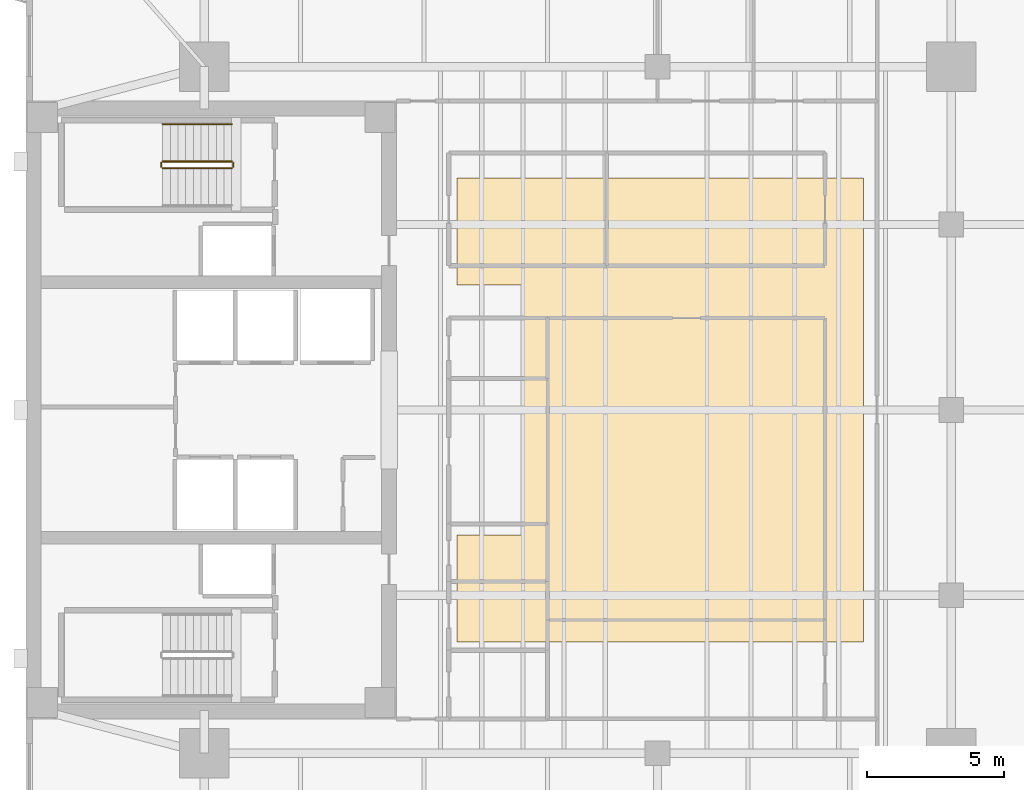
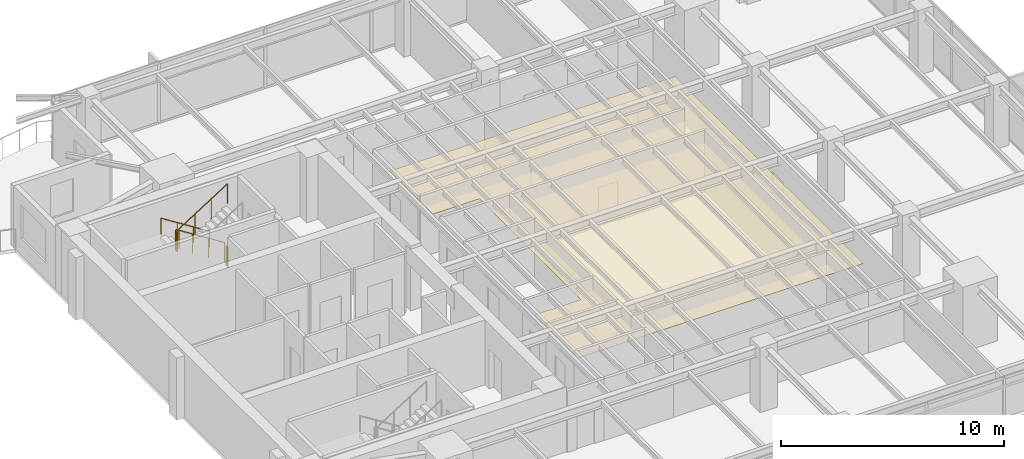
# One storey, part 13 of 14: 5 railings, 1 covering.
"""IFC4 building model written with IfcOpenShell, lengths in metres."""

from ifc_helpers import new_model, si_unit, direction, frame, origin, origin_2d, place, context, subcontext, project, spatial, polyline, circle, outline, extrude, material, layer, layer_set, type_object, element, save


model = new_model("IFC4")

# Units and contexts
model_context = context("Model", 3, precision=1e-05, world=origin(), true_north=direction((0.0, 1.0)))
body_context = subcontext(model_context, "Body", "Model", "MODEL_VIEW")
ifc_project = project(units=[si_unit("LENGTHUNIT", "METRE"), si_unit("AREAUNIT", "SQUARE_METRE"), si_unit("VOLUMEUNIT", "CUBIC_METRE"), si_unit("PLANEANGLEUNIT", "RADIAN"), si_unit("MASSUNIT", "GRAM", prefix="KILO")], contexts=[model_context])

# Site, building, storey
site_placement = place(None, origin())
site = spatial("IfcSite", under=ifc_project, at=site_placement, CompositionType="ELEMENT")
building_placement = place(site_placement, origin())
building = spatial("IfcBuilding", under=site, at=building_placement, Name="Kinhvarn Gate Tower", CompositionType="ELEMENT")
storey_placement = place(building_placement, frame((0.0, 0.0, 234.199951171875)))
storey = spatial("IfcBuildingStorey", under=building, at=storey_placement, Name="L62", CompositionType="ELEMENT", Elevation=234.199951171875)

# Covering
ifc_material_1 = material(Name="Mineral-fibre acoustic ceiling tile")
ifc_layer = layer(ifc_material_1, 0.02001953125)
ifc_layer_set = layer_set([ifc_layer], Name="Mineral-fibre acoustic ceiling tile")
covering_type = type_object("IfcCoveringType", Name="COV-CEIL-20", PredefinedType="CEILING", material=ifc_layer_set)
covering_placement = place(storey_placement, frame((0.0, 0.0, 2.650146484375)))
element("IfcCovering", 1, at=covering_placement, inside=storey, type_object=covering_type, Name="Suspended Acoustic Ceiling Tile (L62-1)", PredefinedType="CEILING", context=body_context, shape_type="SweptSolid", body=[
    extrude(outline(polyline([(35.0, 33.699951171875), (35.0, 16.800048828125), (20.199951171875, 16.800048828125), (20.199951171875, 20.699951171875), (22.60009765625, 20.699951171875), (22.60009765625, 29.800048828125), (20.199951171875, 29.800048828125), (20.199951171875, 33.699951171875), (35.0, 33.699951171875)])), origin(), (0.0, 0.0, 1.0), 0.02001953125),
])

# Railings
ifc_material_2 = material(Name="Steel S355", Category="steel")
railing_type_1 = type_object("IfcRailingType", Name="RL-ST-GRD", PredefinedType="BALUSTRADE", material=ifc_material_2)
railing_1_placement = place(storey_placement, frame((12.0, 34.300048828125, 0.177490234375)))
element("IfcRailing", 2, at=railing_1_placement, inside=storey, type_object=railing_type_1, Name="L62 ST2 stair guard 1", PredefinedType="BALUSTRADE", context=body_context, shape_type="SweptSolid", body=[
    extrude(circle(Radius=0.02392578125, at=origin_2d()), frame((0.0, 0.0, 1.076171875), z_axis=(-0.84456994832, 0.0, 0.535445237532), x_axis=(0.0, -1.0, 0.0)), (0.0, 0.0, 1.0), 2.98388671875),
    extrude(circle(Radius=0.02099609375, at=origin_2d()), origin(), (0.0, 0.0, 1.0), 1.052001953125),
    extrude(circle(Radius=0.02099609375, at=origin_2d()), frame((-0.840087890625, 0.0, 0.532470703125)), (0.0, 0.0, 1.0), 1.052001953125),
    extrude(circle(Radius=0.02099609375, at=origin_2d()), frame((-1.679931640625, 0.0, 1.065185546875)), (0.0, 0.0, 1.0), 1.052001953125),
    extrude(circle(Radius=0.02099609375, at=origin_2d()), frame((-2.52001953125, 0.0, 1.59765625)), (0.0, 0.0, 1.0), 1.052001953125),
])
railing_2_placement = place(storey_placement, frame((9.429931640625, 34.25, 1.775146484375)))
element("IfcRailing", 3, at=railing_2_placement, inside=storey, type_object=railing_type_1, Name="L62 ST2 stair guard 2", PredefinedType="BALUSTRADE", context=body_context, shape_type="SweptSolid", body=[
    extrude(circle(Radius=0.02392578125, at=origin_2d()), frame((0.0, 0.0, 1.076171875), z_axis=(0.0, -1.0, 0.0), x_axis=(1.0, 0.0, 0.0)), (0.0, 0.0, 1.0), 0.14990234375),
    extrude(circle(Radius=0.02099609375, at=origin_2d()), origin(), (0.0, 0.0, 1.0), 1.052001953125),
    extrude(circle(Radius=0.02099609375, at=origin_2d()), frame((0.0, -0.14990234375, 0.0)), (0.0, 0.0, 1.0), 1.052001953125),
])
railing_3_placement = place(storey_placement, frame((9.47998046875, 34.050048828125, 1.95263671875)))
element("IfcRailing", 4, at=railing_3_placement, inside=storey, type_object=railing_type_1, Name="L62 ST2 stair guard 3", PredefinedType="BALUSTRADE", context=body_context, shape_type="SweptSolid", body=[
    extrude(circle(Radius=0.02392578125, at=origin_2d()), frame((0.0, 0.0, 1.076171875), z_axis=(0.84460694969, 0.0, 0.535386869969), x_axis=(0.0, 1.0, 0.0)), (0.0, 0.0, 1.0), 2.983642578125),
    extrude(circle(Radius=0.02099609375, at=origin_2d()), origin(), (0.0, 0.0, 1.0), 1.052001953125),
    extrude(circle(Radius=0.02099609375, at=origin_2d()), frame((0.840087890625, 0.0, 0.532470703125)), (0.0, 0.0, 1.0), 1.052001953125),
    extrude(circle(Radius=0.02099609375, at=origin_2d()), frame((1.679931640625, 0.0, 1.06494140625)), (0.0, 0.0, 1.0), 1.052001953125),
    extrude(circle(Radius=0.02099609375, at=origin_2d()), frame((2.52001953125, 0.0, 1.597412109375)), (0.0, 0.0, 1.0), 1.052001953125),
])
railing_4_placement = place(storey_placement, frame((12.050048828125, 34.25, 0.0)))
element("IfcRailing", 5, at=railing_4_placement, inside=storey, type_object=railing_type_1, Name="L62 ST2 stair guard 4", PredefinedType="BALUSTRADE", context=body_context, shape_type="SweptSolid", body=[
    extrude(circle(Radius=0.02392578125, at=origin_2d()), frame((0.0, 0.0, 1.076171875), z_axis=(0.0, -1.0, 0.0), x_axis=(1.0, 0.0, 0.0)), (0.0, 0.0, 1.0), 0.14990234375),
    extrude(circle(Radius=0.02099609375, at=origin_2d()), origin(), (0.0, 0.0, 1.0), 1.052001953125),
    extrude(circle(Radius=0.02099609375, at=origin_2d()), frame((0.0, -0.14990234375, 0.0)), (0.0, 0.0, 1.0), 1.052001953125),
])
railing_type_2 = type_object("IfcRailingType", Name="RL-ST-HND", PredefinedType="HANDRAIL", material=ifc_material_2)
railing_5_placement = place(storey_placement, frame((12.0, 35.64990234375, 0.177490234375)))
element("IfcRailing", 6, at=railing_5_placement, inside=storey, type_object=railing_type_2, Name="L62 ST2 stair handrail 1", PredefinedType="HANDRAIL", context=body_context, shape_type="SweptSolid", body=[
    extrude(circle(Radius=0.02392578125, at=origin_2d()), frame((0.0, 0.0, 0.8759765625), z_axis=(-0.84456994832, 0.0, 0.535445237532), x_axis=(0.0, -1.0, 0.0)), (0.0, 0.0, 1.0), 2.98388671875),
    extrude(circle(Radius=0.02099609375, at=origin_2d()), origin(), (0.0, 0.0, 1.0), 0.851806640625),
    extrude(circle(Radius=0.02099609375, at=origin_2d()), frame((-0.840087890625, 0.0, 0.532470703125)), (0.0, 0.0, 1.0), 0.851806640625),
    extrude(circle(Radius=0.02099609375, at=origin_2d()), frame((-1.679931640625, 0.0, 1.065185546875)), (0.0, 0.0, 1.0), 0.851806640625),
    extrude(circle(Radius=0.02099609375, at=origin_2d()), frame((-2.52001953125, 0.0, 1.59765625)), (0.0, 0.0, 1.0), 0.851806640625),
])

save(model, "model.ifc")
